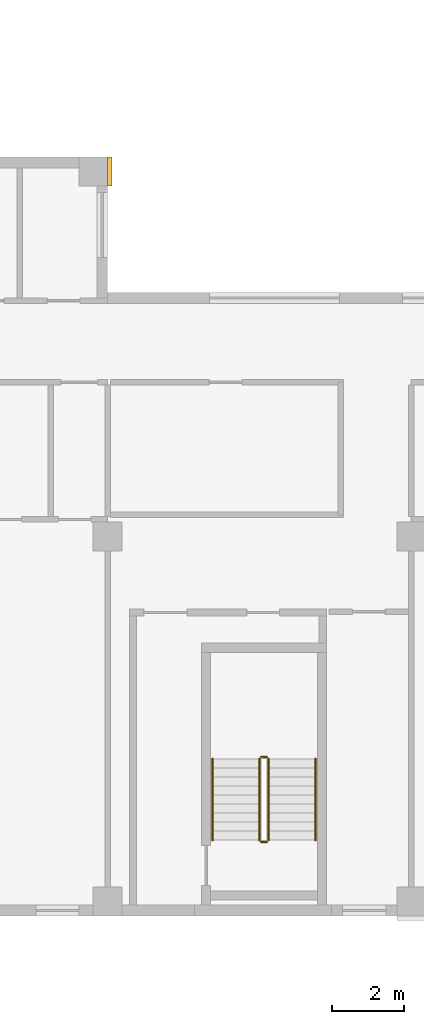
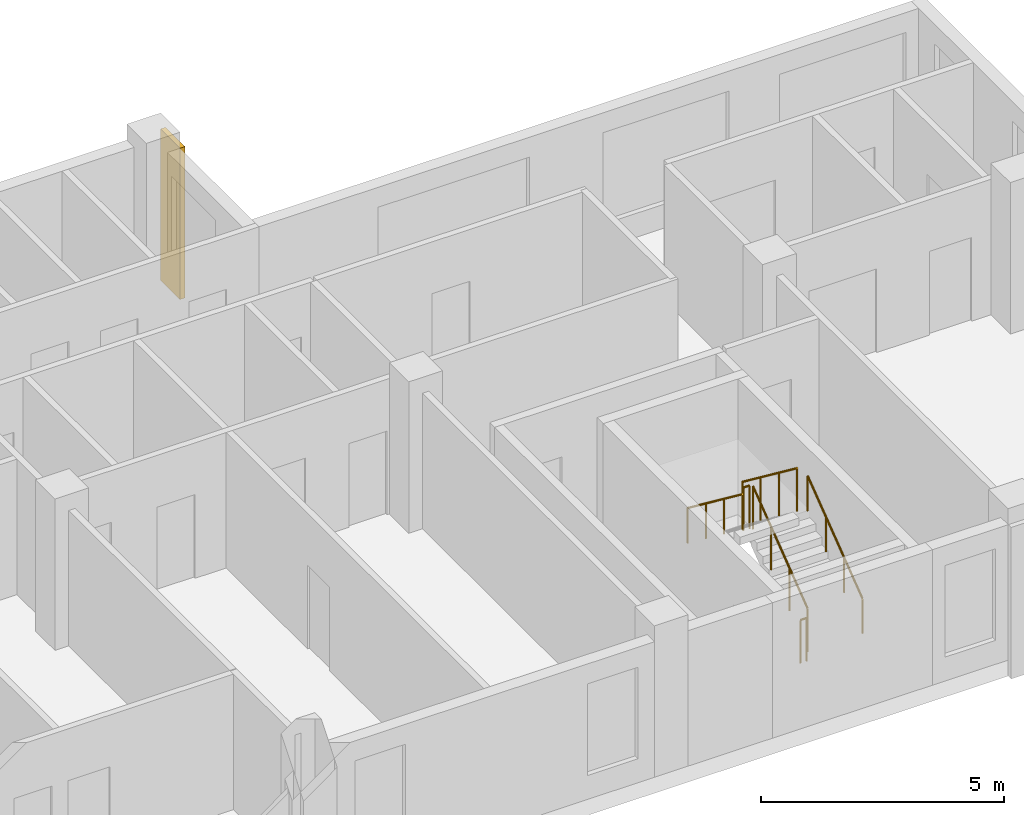
# One storey, part 11 of 12: 6 railings, 1 covering.
"""IFC4 building model written with IfcOpenShell, lengths in metres."""

from ifc_helpers import new_model, si_unit, direction, frame, origin, origin_2d, place, context, subcontext, project, spatial, rectangle, circle, extrude, source, transform, mapped, material, type_object, element, save


model = new_model("IFC4")

# Units and contexts
model_context = context("Model", 3, precision=1e-05, world=origin(), true_north=direction((0.0, 1.0)))
body_context = subcontext(model_context, "Body", "Model", "MODEL_VIEW")
ifc_project = project(units=[si_unit("LENGTHUNIT", "METRE"), si_unit("AREAUNIT", "SQUARE_METRE"), si_unit("VOLUMEUNIT", "CUBIC_METRE"), si_unit("PLANEANGLEUNIT", "RADIAN"), si_unit("MASSUNIT", "GRAM", prefix="KILO")], contexts=[model_context])

# Site, building, storey
site_placement = place(None, origin())
site = spatial("IfcSite", under=ifc_project, at=site_placement, CompositionType="ELEMENT")
building_placement = place(site_placement, origin())
building = spatial("IfcBuilding", under=site, at=building_placement, Name="Aurelian Terraces", CompositionType="ELEMENT")
storey_placement = place(building_placement, frame((0.0, 0.0, 242.4)))
storey = spatial("IfcBuildingStorey", under=building, at=storey_placement, Name="L55", CompositionType="ELEMENT", Elevation=242.4)

# Covering
ifc_material_1 = material(Name="Terracotta rainscreen cladding relief", Category="masonry")
covering_type = type_object("IfcCoveringType", Name="BAGUETTE-TC", PredefinedType="CLADDING", material=ifc_material_1)
shared_shape_1 = source(origin(), body_context, "Body", "SweptSolid", [
    extrude(rectangle(XDim=0.12, YDim=0.8, at=origin_2d()), origin(), (0.0, 0.0, 1.0), 3.8),
])
covering_placement = place(storey_placement, frame((37.86, 20.6, -0.4), z_axis=(0.0, 0.0, 1.0), x_axis=(1.0, 0.0, 0.0)))
element("IfcCovering", 1, at=covering_placement, inside=storey, type_object=covering_type, Name="BAGUETTE pier L55 5", PredefinedType="CLADDING", context=body_context, shape_type="MappedRepresentation", body=[
    mapped(shared_shape_1, transform((0.0, 0.0, 0.0), scale=1.0)),
])

# Railings
ifc_material_2 = material(Name="Stainless steel", Category="steel")
railing_type_1 = type_object("IfcRailingType", Name="Stair guard 1100", PredefinedType="GUARDRAIL", material=ifc_material_2)
shared_shape_2 = source(origin(), body_context, "Body", "SweptSolid", [
    extrude(circle(Radius=0.024, at=origin_2d()), frame((0.0, 0.0, 1.076), z_axis=(-1.0, 0.0, 0.0), x_axis=(0.0, -1.0, 0.0)), (0.0, 0.0, 1.0), 0.15),
    extrude(circle(Radius=0.021, at=origin_2d()), origin(), (0.0, 0.0, 1.0), 1.052),
    extrude(circle(Radius=0.021, at=origin_2d()), frame((-0.15, 0.0, 0.0)), (0.0, 0.0, 1.0), 1.052),
])
for number, where, name in (
    (2, (42.2, 4.4, 1.9), "L55 S2 stair guard 2"),
    (3, (42.2, 2.05, 0.0), "L55 S2 stair guard 4"),
):
    element("IfcRailing", number, at=place(storey_placement, frame(where)), inside=storey, type_object=railing_type_1, Name=name, PredefinedType="GUARDRAIL", context=body_context, shape_type="MappedRepresentation", body=[
        mapped(shared_shape_2, transform((0.0, 0.0, 0.0), scale=1.0)),
    ])
shared_shape_3 = source(origin(), body_context, "Body", "SweptSolid", [
    extrude(circle(Radius=0.024, at=origin_2d()), frame((0.0, 0.0, 1.076), z_axis=(0.0, 0.796162194123, 0.605083267534), x_axis=(-1.0, 0.0, 0.0)), (0.0, 0.0, 1.0), 2.8261),
    extrude(circle(Radius=0.021, at=origin_2d()), origin(), (0.0, 0.0, 1.0), 1.052),
    extrude(circle(Radius=0.021, at=origin_2d()), frame((0.0, 0.75, 0.57)), (0.0, 0.0, 1.0), 1.052),
    extrude(circle(Radius=0.021, at=origin_2d()), frame((0.0, 1.5, 1.14)), (0.0, 0.0, 1.0), 1.052),
    extrude(circle(Radius=0.021, at=origin_2d()), frame((0.0, 2.25, 1.71)), (0.0, 0.0, 1.0), 1.052),
])
railing_1_placement = place(storey_placement, frame((42.25, 2.1, 0.19)))
element("IfcRailing", 4, at=railing_1_placement, inside=storey, type_object=railing_type_1, Name="L55 S2 stair guard 1", PredefinedType="GUARDRAIL", context=body_context, shape_type="MappedRepresentation", body=[
    mapped(shared_shape_3, transform((0.0, 0.0, 0.0), scale=1.0)),
])
shared_shape_4 = source(origin(), body_context, "Body", "SweptSolid", [
    extrude(circle(Radius=0.024, at=origin_2d()), frame((0.0, 0.0, 1.076), z_axis=(0.0, -0.796162194123, 0.605083267534), x_axis=(1.0, 0.0, 0.0)), (0.0, 0.0, 1.0), 2.8261),
    extrude(circle(Radius=0.021, at=origin_2d()), origin(), (0.0, 0.0, 1.0), 1.052),
    extrude(circle(Radius=0.021, at=origin_2d()), frame((0.0, -0.75, 0.57)), (0.0, 0.0, 1.0), 1.052),
    extrude(circle(Radius=0.021, at=origin_2d()), frame((0.0, -1.5, 1.14)), (0.0, 0.0, 1.0), 1.052),
    extrude(circle(Radius=0.021, at=origin_2d()), frame((0.0, -2.25, 1.71)), (0.0, 0.0, 1.0), 1.052),
])
railing_2_placement = place(storey_placement, frame((42.0, 4.35, 2.09)))
element("IfcRailing", 5, at=railing_2_placement, inside=storey, type_object=railing_type_1, Name="L55 S2 stair guard 3", PredefinedType="GUARDRAIL", context=body_context, shape_type="MappedRepresentation", body=[
    mapped(shared_shape_4, transform((0.0, 0.0, 0.0), scale=1.0)),
])
railing_type_2 = type_object("IfcRailingType", Name="Stair handrail", PredefinedType="HANDRAIL", material=ifc_material_2)
shared_shape_5 = source(origin(), body_context, "Body", "SweptSolid", [
    extrude(circle(Radius=0.024, at=origin_2d()), frame((0.0, 0.0, 0.876), z_axis=(0.0, 0.796162194123, 0.605083267534), x_axis=(-1.0, 0.0, 0.0)), (0.0, 0.0, 1.0), 2.8261),
    extrude(circle(Radius=0.021, at=origin_2d()), origin(), (0.0, 0.0, 1.0), 0.852),
    extrude(circle(Radius=0.021, at=origin_2d()), frame((0.0, 0.75, 0.57)), (0.0, 0.0, 1.0), 0.852),
    extrude(circle(Radius=0.021, at=origin_2d()), frame((0.0, 1.5, 1.14)), (0.0, 0.0, 1.0), 0.852),
    extrude(circle(Radius=0.021, at=origin_2d()), frame((0.0, 2.25, 1.71)), (0.0, 0.0, 1.0), 0.852),
])
railing_3_placement = place(storey_placement, frame((43.55, 2.1, 0.19)))
element("IfcRailing", 6, at=railing_3_placement, inside=storey, type_object=railing_type_2, Name="L55 S2 stair handrail 1", PredefinedType="HANDRAIL", context=body_context, shape_type="MappedRepresentation", body=[
    mapped(shared_shape_5, transform((0.0, 0.0, 0.0), scale=1.0)),
])
shared_shape_6 = source(origin(), body_context, "Body", "SweptSolid", [
    extrude(circle(Radius=0.024, at=origin_2d()), frame((0.0, 0.0, 0.876), z_axis=(0.0, -0.796162194123, 0.605083267534), x_axis=(1.0, 0.0, 0.0)), (0.0, 0.0, 1.0), 2.8261),
    extrude(circle(Radius=0.021, at=origin_2d()), origin(), (0.0, 0.0, 1.0), 0.852),
    extrude(circle(Radius=0.021, at=origin_2d()), frame((0.0, -0.75, 0.57)), (0.0, 0.0, 1.0), 0.852),
    extrude(circle(Radius=0.021, at=origin_2d()), frame((0.0, -1.5, 1.14)), (0.0, 0.0, 1.0), 0.852),
    extrude(circle(Radius=0.021, at=origin_2d()), frame((0.0, -2.25, 1.71)), (0.0, 0.0, 1.0), 0.852),
])
railing_4_placement = place(storey_placement, frame((40.7, 4.35, 2.09)))
element("IfcRailing", 7, at=railing_4_placement, inside=storey, type_object=railing_type_2, Name="L55 S2 stair handrail 2", PredefinedType="HANDRAIL", context=body_context, shape_type="MappedRepresentation", body=[
    mapped(shared_shape_6, transform((0.0, 0.0, 0.0), scale=1.0)),
])

save(model, "model.ifc")
